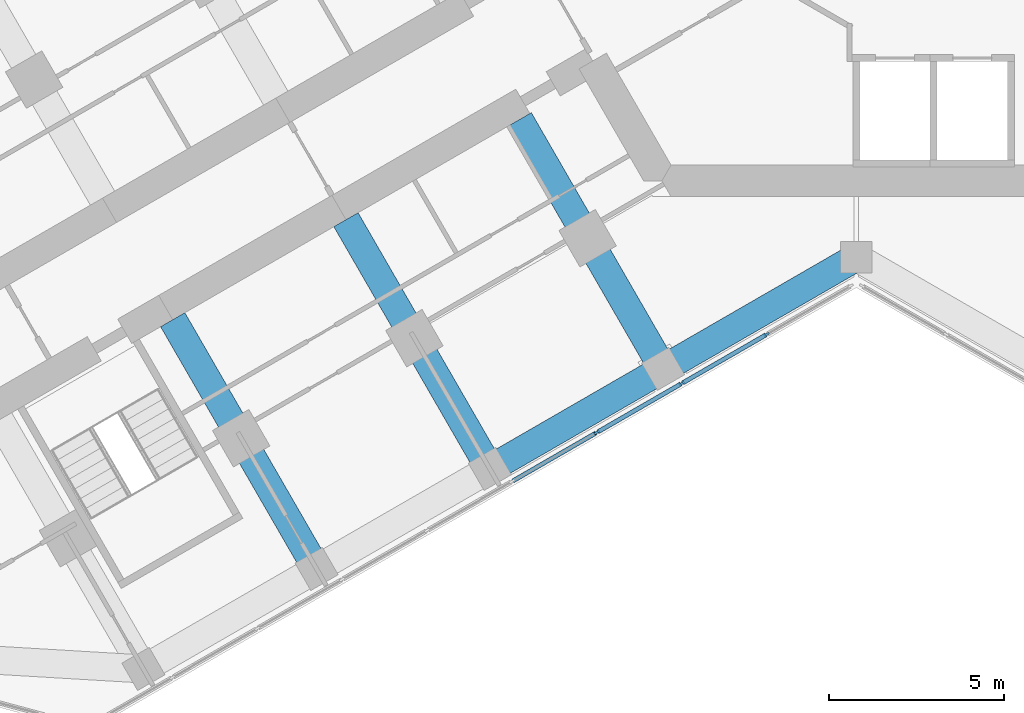
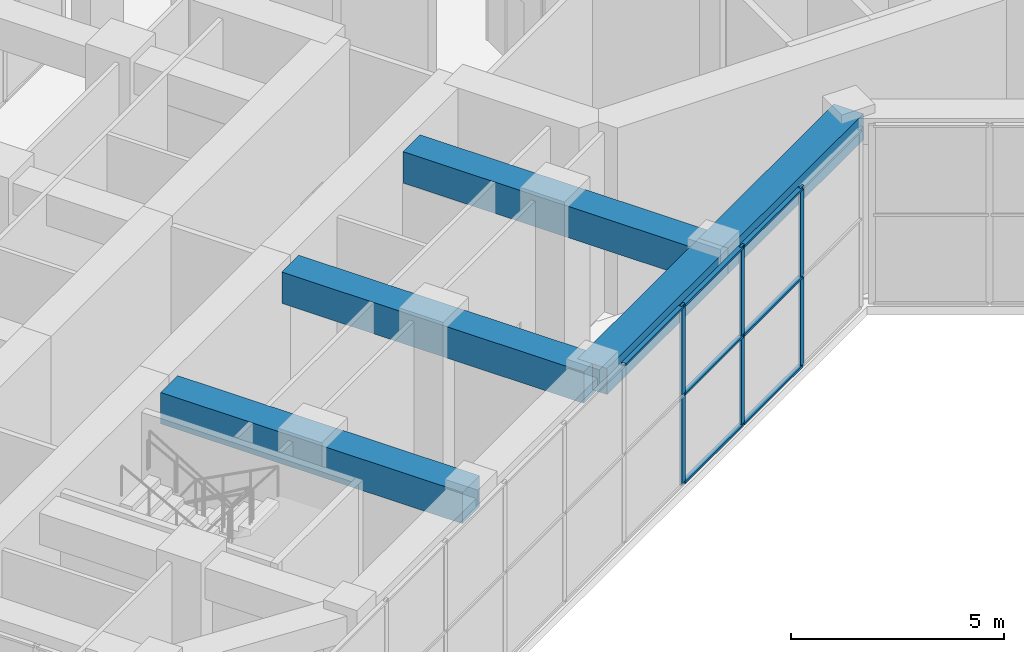
# One storey, part 3 of 20: 10 members, 5 beams, 1 element without a shape of its own.
"""IFC4 building model written with IfcOpenShell, lengths in metres."""

from ifc_helpers import new_model, si_unit, direction, frame, origin, origin_2d, place, context, subcontext, project, spatial, rectangle, extrude, material, material_profile, profile_set, type_object, element, aggregate, save


model = new_model("IFC4")

# Units and contexts
model_context = context("Model", 3, precision=1e-05, world=origin(), true_north=direction((0.0, 1.0)))
body_context = subcontext(model_context, "Body", "Model", "MODEL_VIEW")
ifc_project = project(units=[si_unit("LENGTHUNIT", "METRE"), si_unit("AREAUNIT", "SQUARE_METRE"), si_unit("VOLUMEUNIT", "CUBIC_METRE"), si_unit("PLANEANGLEUNIT", "RADIAN"), si_unit("MASSUNIT", "GRAM", prefix="KILO")], contexts=[model_context])

# Site, building, storey
site_placement = place(None, origin())
site = spatial("IfcSite", under=ifc_project, at=site_placement, CompositionType="ELEMENT")
building_placement = place(site_placement, origin())
building = spatial("IfcBuilding", under=site, at=building_placement, Name="Kosmar Iwan School Tower", CompositionType="ELEMENT")
storey_placement = place(building_placement, frame((0.0, 0.0, 152.60009765625)))
storey = spatial("IfcBuildingStorey", under=building, at=storey_placement, Name="L38", CompositionType="ELEMENT", Elevation=152.60009765625)

# Curtain wall, members
ifc_material_1 = material(Name="Dark glass in black aluminium frame", Category="aluminium")
curtain_wall_type = type_object("IfcCurtainWallType", Name="Winter garden curtain wall", PredefinedType="USERDEFINED", material=ifc_material_1)
curtain_wall_placement = place(storey_placement, origin())
curtain_wall = element("IfcCurtainWall", 1, at=curtain_wall_placement, inside=storey, type_object=curtain_wall_type, Name="Curtain wall L38-F00", ObjectType="WINTER GARDEN CURTAIN WALL", PredefinedType="USERDEFINED")
ifc_material_2 = material(Name="Black anodised aluminium", Category="aluminium")
ifc_material_profile_1 = material_profile(ifc_material_2, rectangle(XDim=0.06005859375, YDim=0.159912109375, at=origin_2d()), Name="MULLION 60x160")
ifc_profile_set_1 = profile_set([ifc_material_profile_1], Name="Black anodised aluminium")
member_type_1 = type_object("IfcMemberType", Name="Mullion 60x160", PredefinedType="MULLION", material=ifc_profile_set_1)
member_1_placement = place(storey_placement, frame((-2.556884765625, -13.975830078125, 0.0), z_axis=(0.0, 0.0, 1.0), x_axis=(0.500000014888, -0.866025395189, 0.0)))
member_1 = element("IfcMember", 2, at=member_1_placement, type_object=member_type_1, Name="CW7 mullion 2", PredefinedType="MULLION", context=body_context, shape_type="SweptSolid", body=[
    extrude(rectangle(XDim=0.06005859375, YDim=0.159912109375, at=origin_2d()), origin(), (0.0, 0.0, 1.0), 5.14990234375),
])
member_2_placement = place(storey_placement, frame((-4.975830078125, -15.37255859375, 0.0), z_axis=(0.0, 0.0, 1.0), x_axis=(0.500000014888, -0.866025395189, 0.0)))
member_2 = element("IfcMember", 3, at=member_2_placement, type_object=member_type_1, Name="CW7 mullion 3", PredefinedType="MULLION", context=body_context, shape_type="SweptSolid", body=[
    extrude(rectangle(XDim=0.06005859375, YDim=0.159912109375, at=origin_2d()), origin(), (0.0, 0.0, 1.0), 5.14990234375),
])
member_3_placement = place(storey_placement, frame((-7.39501953125, -16.76904296875, 0.0), z_axis=(0.0, 0.0, 1.0), x_axis=(0.500000014888, -0.866025395189, 0.0)))
member_3 = element("IfcMember", 4, at=member_3_placement, type_object=member_type_1, Name="CW7 mullion 4", PredefinedType="MULLION", context=body_context, shape_type="SweptSolid", body=[
    extrude(rectangle(XDim=0.06005859375, YDim=0.159912109375, at=origin_2d()), origin(), (0.0, 0.0, 1.0), 5.14990234375),
])

# Beams
ifc_material_3 = material(Name="Concrete C50/60", Category="concrete")
ifc_material_profile_2 = material_profile(ifc_material_3, rectangle(XDim=0.800048828125, YDim=0.75, at=origin_2d()), Name="RC 800x750")
ifc_profile_set_2 = profile_set([ifc_material_profile_2], Name="Concrete C50/60")
beam_type_1 = type_object("IfcBeamType", Name="RC edge beam 800x750", PredefinedType="BEAM", material=ifc_profile_set_2)
beam_1_placement = place(storey_placement, frame((0.0, -11.77783203125, 4.77490234375), z_axis=(-0.866014293216, -0.500019243575, 0.0), x_axis=(0.500019243575, -0.866014293216, 0.0)))
element("IfcBeam", 5, at=beam_1_placement, inside=storey, type_object=beam_type_1, Name="Edge beam BL1", PredefinedType="BEAM", context=body_context, shape_type="SweptSolid", body=[
    extrude(rectangle(XDim=0.800048828125, YDim=0.75, at=origin_2d()), origin(), (0.0, 0.0, 1.0), 6.361083984375),
])
beam_2_placement = place(storey_placement, frame((-5.5087890625, -14.95849609375, 4.77490234375), z_axis=(-0.866033658841, -0.49998570155, 0.0), x_axis=(0.49998570155, -0.866033658841, 0.0)))
element("IfcBeam", 6, at=beam_2_placement, inside=storey, type_object=beam_type_1, Name="Edge beam BL2", PredefinedType="BEAM", context=body_context, shape_type="SweptSolid", body=[
    extrude(rectangle(XDim=0.800048828125, YDim=0.75, at=origin_2d()), origin(), (0.0, 0.0, 1.0), 5.699951171875),
])
ifc_material_4 = material(Name="Concrete C50/60", Category="concrete")
ifc_material_profile_3 = material_profile(ifc_material_4, rectangle(XDim=0.800048828125, YDim=0.89990234375, at=origin_2d()), Name="RC 800x900")
ifc_profile_set_3 = profile_set([ifc_material_profile_3], Name="Concrete C50/60")
beam_type_2 = type_object("IfcBeamType", Name="RC transverse beam 800x900", PredefinedType="BEAM", material=ifc_profile_set_3)
beam_3_placement = place(storey_placement, frame((-5.5087890625, -14.95849609375, 4.699951171875), z_axis=(-0.500000789788, 0.8660249478, 0.0), x_axis=(-0.8660249478, -0.500000789788, 0.0)))
element("IfcBeam", 7, at=beam_3_placement, inside=storey, type_object=beam_type_2, Name="Transverse beam BL1", PredefinedType="BEAM", context=body_context, shape_type="SweptSolid", body=[
    extrude(rectangle(XDim=0.800048828125, YDim=0.89990234375, at=origin_2d()), origin(), (0.0, 0.0, 1.0), 8.2001953125),
])
for number, where, z_axis, x_axis, name in (
    (8, (-10.445068359375, -17.808349609375, 4.699951171875), (-0.500013681986, 0.866017504342, 0.0), (-0.866017504342, -0.500013681986, 0.0), "Transverse beam BL2"),
    (9, (-15.381591796875, -20.658447265625, 4.699951171875), (-0.49999135188, 0.866030396721, 0.0), (-0.866030396721, -0.49999135188, 0.0), "Transverse beam BL3"),
):
    element("IfcBeam", number, at=place(storey_placement, frame(where, z_axis=z_axis, x_axis=x_axis)), inside=storey, type_object=beam_type_2, Name=name, PredefinedType="BEAM", context=body_context, shape_type="SweptSolid", body=[
        extrude(rectangle(XDim=0.800048828125, YDim=0.89990234375, at=origin_2d()), origin(), (0.0, 0.0, 1.0), 8.199951171875),
    ])

# Member
ifc_material_5 = material(Name="Black anodised aluminium", Category="aluminium")
ifc_material_profile_4 = material_profile(ifc_material_5, rectangle(XDim=0.1201171875, YDim=0.06005859375, at=origin_2d()), Name="TRANSOM 60x120")
ifc_profile_set_4 = profile_set([ifc_material_profile_4], Name="Black anodised aluminium")
member_type_2 = type_object("IfcMemberType", Name="Transom 60x120", PredefinedType="USERDEFINED", material=ifc_profile_set_4)
member_4_placement = place(storey_placement, frame((-2.582763671875, -13.99072265625, 0.02978515625), z_axis=(-0.8660249478, -0.500000789788, 0.0), x_axis=(0.500000789788, -0.8660249478, 0.0)))
member_4 = element("IfcMember", 10, at=member_4_placement, type_object=member_type_2, Name="CW7 transom 2.1", ObjectType="TRANSOM", PredefinedType="USERDEFINED", context=body_context, shape_type="SweptSolid", body=[
    extrude(rectangle(XDim=0.1201171875, YDim=0.06005859375, at=origin_2d()), origin(), (0.0, 0.0, 1.0), 2.7333984375),
])

member_5_placement = place(storey_placement, frame((-2.582763671875, -13.99072265625, 2.574951171875), z_axis=(-0.8660249478, -0.500000789788, 0.0), x_axis=(0.500000789788, -0.8660249478, 0.0)))
member_5 = element("IfcMember", 11, at=member_5_placement, type_object=member_type_2, Name="CW7 transom 2.2", ObjectType="TRANSOM", PredefinedType="USERDEFINED", context=body_context, shape_type="SweptSolid", body=[
    extrude(rectangle(XDim=0.1201171875, YDim=0.06005859375, at=origin_2d()), origin(), (0.0, 0.0, 1.0), 2.7333984375),
])

member_6_placement = place(storey_placement, frame((-2.582763671875, -13.99072265625, 5.119873046875), z_axis=(-0.8660249478, -0.500000789788, 0.0), x_axis=(0.500000789788, -0.8660249478, 0.0)))
member_6 = element("IfcMember", 12, at=member_6_placement, type_object=member_type_2, Name="CW7 transom 2.3", ObjectType="TRANSOM", PredefinedType="USERDEFINED", context=body_context, shape_type="SweptSolid", body=[
    extrude(rectangle(XDim=0.1201171875, YDim=0.06005859375, at=origin_2d()), origin(), (0.0, 0.0, 1.0), 2.7333984375),
])

member_7_placement = place(storey_placement, frame((-5.001953125, -15.387451171875, 0.02978515625), z_axis=(-0.866002615699, -0.500039468044, 0.0), x_axis=(0.500039468044, -0.866002615699, 0.0)))
member_7 = element("IfcMember", 13, at=member_7_placement, type_object=member_type_2, Name="CW7 transom 3.1", ObjectType="TRANSOM", PredefinedType="USERDEFINED", context=body_context, shape_type="SweptSolid", body=[
    extrude(rectangle(XDim=0.1201171875, YDim=0.06005859375, at=origin_2d()), origin(), (0.0, 0.0, 1.0), 2.733154296875),
])

member_8_placement = place(storey_placement, frame((-5.001953125, -15.387451171875, 2.574951171875), z_axis=(-0.866002615699, -0.500039468044, 0.0), x_axis=(0.500039468044, -0.866002615699, 0.0)))
member_8 = element("IfcMember", 14, at=member_8_placement, type_object=member_type_2, Name="CW7 transom 3.2", ObjectType="TRANSOM", PredefinedType="USERDEFINED", context=body_context, shape_type="SweptSolid", body=[
    extrude(rectangle(XDim=0.1201171875, YDim=0.06005859375, at=origin_2d()), origin(), (0.0, 0.0, 1.0), 2.733154296875),
])

member_9_placement = place(storey_placement, frame((-5.001953125, -15.387451171875, 5.119873046875), z_axis=(-0.866002615699, -0.500039468044, 0.0), x_axis=(0.500039468044, -0.866002615699, 0.0)))
member_9 = element("IfcMember", 15, at=member_9_placement, type_object=member_type_2, Name="CW7 transom 3.3", ObjectType="TRANSOM", PredefinedType="USERDEFINED", context=body_context, shape_type="SweptSolid", body=[
    extrude(rectangle(XDim=0.1201171875, YDim=0.06005859375, at=origin_2d()), origin(), (0.0, 0.0, 1.0), 2.733154296875),
])

member_10_placement = place(storey_placement, frame((-7.4208984375, -16.7841796875, 5.119873046875), z_axis=(-0.866041295585, -0.499972473583, 0.0), x_axis=(0.499972473583, -0.866041295585, 0.0)))
member_10 = element("IfcMember", 16, at=member_10_placement, type_object=member_type_2, Name="CW7 transom 4.3", ObjectType="TRANSOM", PredefinedType="USERDEFINED", context=body_context, shape_type="SweptSolid", body=[
    extrude(rectangle(XDim=0.1201171875, YDim=0.06005859375, at=origin_2d()), origin(), (0.0, 0.0, 1.0), 2.733154296875),
])

aggregate(curtain_wall, [member_1, member_2, member_3, member_4, member_5, member_6, member_7, member_8, member_9, member_10])

save(model, "model.ifc")
